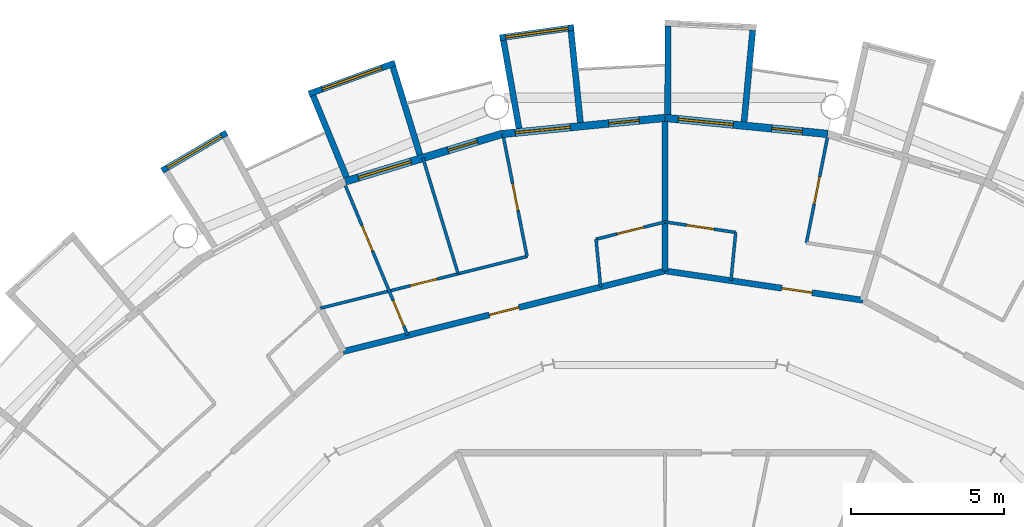
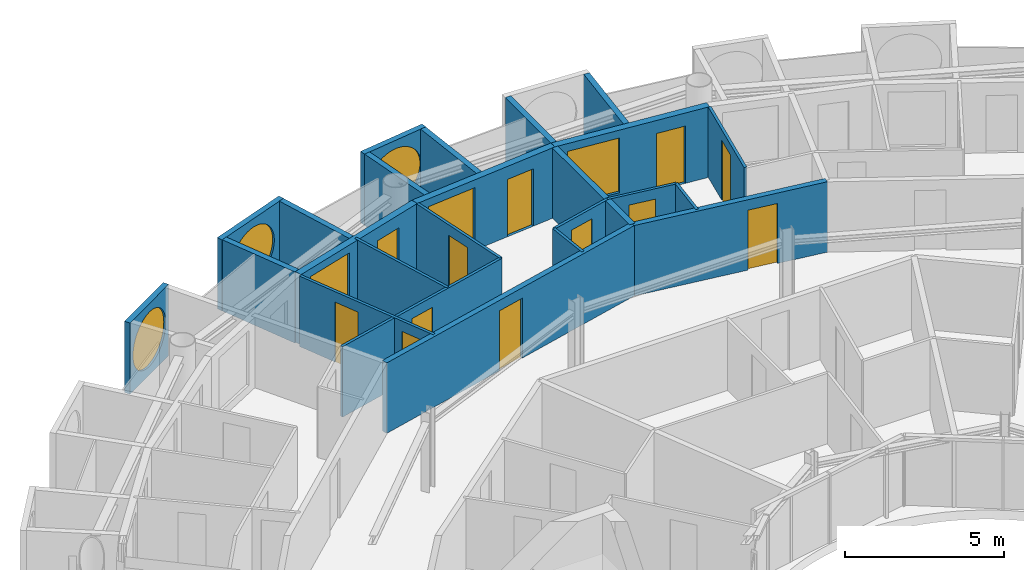
# One storey, part 22 of 29: 24 walls, 12 doors, 6 windows, 18 openings.
"""IFC4 building model written with IfcOpenShell, lengths in metres."""

from ifc_helpers import new_model, si_unit, direction, frame, frame_2d, origin, place, context, subcontext, project, spatial, rectangle, circle, extrude, material, layer, layer_set, type_object, element, fill, save


model = new_model("IFC4")

# Units and contexts
model_context = context("Model", 3, precision=1e-05, world=origin(), true_north=direction((0.0, 1.0)))
body_context = subcontext(model_context, "Body", "Model", "MODEL_VIEW")
ifc_project = project(units=[si_unit("LENGTHUNIT", "METRE"), si_unit("AREAUNIT", "SQUARE_METRE"), si_unit("VOLUMEUNIT", "CUBIC_METRE"), si_unit("PLANEANGLEUNIT", "RADIAN"), si_unit("MASSUNIT", "GRAM", prefix="KILO")], contexts=[model_context])

# Site, building, storey
site_placement = place(None, origin())
site = spatial("IfcSite", under=ifc_project, at=site_placement, CompositionType="ELEMENT")
building_placement = place(site_placement, origin())
building = spatial("IfcBuilding", under=site, at=building_placement, Name="Maasbend Ring Residences", CompositionType="ELEMENT")
storey_placement = place(building_placement, frame((0.0, 0.0, 212.699951171875)))
storey = spatial("IfcBuildingStorey", under=building, at=storey_placement, Name="L61", CompositionType="ELEMENT", Elevation=212.699951171875)

# Wall, opening, door
ifc_material_1 = material(Name="Concrete C30/37", Category="concrete")
ifc_layer_1 = layer(ifc_material_1, 0.199951171875)
ifc_layer_set_1 = layer_set([ifc_layer_1], Name="Concrete C30/37")
wall_type_1 = type_object("IfcWallType", Name="CORRIDOR WALL 200 CONCRETE", PredefinedType="PARTITIONING", material=ifc_layer_set_1)
wall_1_placement = place(storey_placement, frame((-10.52099609375, 19.662109375, 0.0), z_axis=(0.0, 0.0, 1.0), x_axis=(0.969975443945, 0.243202874456, 0.0)))
wall_1 = element("IfcWall", 1, at=wall_1_placement, inside=storey, type_object=wall_type_1, Name="U-L61-w111", PredefinedType="PARTITIONING", context=body_context, shape_type="SweptSolid", body=[
    extrude(rectangle(XDim=10.8466796875, YDim=0.199951171875, at=frame_2d((5.42333984375, 0.0))), origin(), (0.0, 0.0, 1.0), 2.699951171875),
])
opening_1_placement = place(wall_1_placement, frame((4.927978515625, 0.0, 0.0)))
opening_1 = element("IfcOpeningElement", 2, at=opening_1_placement, cuts=wall_1, Name="Opening D-6111", PredefinedType="OPENING", context=body_context, shape_type="SweptSolid", body=[
    extrude(rectangle(XDim=1.0, YDim=2.300048828125, at=frame_2d((0.5, 1.14990234375))), frame((0.0, 0.10986328125, 0.0), z_axis=(0.0, -1.0, 0.0), x_axis=(1.0, 0.0, 0.0)), (0.0, 0.0, 1.0), 0.219970703125),
])
ifc_material_2 = material(Name="Timber, fire-rated, painted", Category="wood")
door_type_1 = type_object("IfcDoorType", Name="FLAT ENTRANCE DOOR 1000 X 2300 FIRE-RATED", OperationType="NOTDEFINED", PredefinedType="DOOR", material=ifc_material_2)
door_1_placement = place(opening_1_placement, origin())
door_1 = element("IfcDoor", 3, at=door_1_placement, inside=storey, type_object=door_type_1, Name="D-6111", OperationType="SINGLE_SWING_RIGHT", OverallHeight=2.300048828125, OverallWidth=1.0, PredefinedType="DOOR", context=body_context, shape_type="SweptSolid", body=[
    extrude(rectangle(XDim=1.0, YDim=2.300048828125, at=frame_2d((0.5, 1.14990234375))), frame((0.0, 0.02490234375, 0.0), z_axis=(0.0, -1.0, 0.0), x_axis=(1.0, 0.0, 0.0)), (0.0, 0.0, 1.0), 0.050048828125),
])
fill(opening_1, door_1)

wall_2_placement = place(storey_placement, frame((0.0, 22.300048828125, 0.0), z_axis=(0.0, 0.0, 1.0), x_axis=(0.989181015112, -0.146700100005, 0.0)))
wall_2 = element("IfcWall", 4, at=wall_2_placement, inside=storey, type_object=wall_type_1, Name="U-L61-w115", PredefinedType="PARTITIONING", context=body_context, shape_type="SweptSolid", body=[
    extrude(rectangle(XDim=6.543701171875, YDim=0.199951171875, at=frame_2d((3.27197265625, 0.0))), origin(), (0.0, 0.0, 1.0), 2.699951171875),
])
opening_2_placement = place(wall_2_placement, frame((3.863037109375, 0.0, 0.0)))
opening_2 = element("IfcOpeningElement", 5, at=opening_2_placement, cuts=wall_2, Name="Opening D-6108", PredefinedType="OPENING", context=body_context, shape_type="SweptSolid", body=[
    extrude(rectangle(XDim=1.0, YDim=2.300048828125, at=frame_2d((0.5, 1.14990234375))), frame((0.0, 0.10986328125, 0.0), z_axis=(0.0, -1.0, 0.0), x_axis=(1.0, 0.0, 0.0)), (0.0, 0.0, 1.0), 0.219970703125),
])
door_2_placement = place(opening_2_placement, origin())
door_2 = element("IfcDoor", 6, at=door_2_placement, inside=storey, type_object=door_type_1, Name="D-6108", OperationType="SINGLE_SWING_RIGHT", OverallHeight=2.300048828125, OverallWidth=1.0, PredefinedType="DOOR", context=body_context, shape_type="SweptSolid", body=[
    extrude(rectangle(XDim=1.0, YDim=2.300048828125, at=frame_2d((0.5, 1.14990234375))), frame((0.0, 0.02490234375, 0.0), z_axis=(0.0, -1.0, 0.0), x_axis=(1.0, 0.0, 0.0)), (0.0, 0.0, 1.0), 0.050048828125),
])
fill(opening_2, door_2)

# Walls
ifc_material_3 = material(Name="Pale anodised aluminium panel", Category="aluminium")
ifc_layer_2 = layer(ifc_material_3, 0.199951171875)
ifc_layer_set_2 = layer_set([ifc_layer_2], Name="EW-BOX")
wall_type_2 = type_object("IfcWallType", Name="EW-BOX", PredefinedType="SOLIDWALL", material=ifc_layer_set_2)
wall_3_placement = place(storey_placement, frame((2.5859375, 27.1708984375, -0.030029296875), z_axis=(0.0, 0.0, 1.0), x_axis=(0.094548432284, 0.995520262954, 0.0)))
element("IfcWall", 7, at=wall_3_placement, inside=storey, type_object=wall_type_2, Name="Box side wall N10 left", PredefinedType="SOLIDWALL", context=body_context, shape_type="SweptSolid", body=[
    extrude(rectangle(XDim=3.005615234375, YDim=0.199951171875, at=frame_2d((1.5029296875, 0.0))), origin(), (0.0, 0.0, 1.0), 2.72998046875),
])
wall_4_placement = place(storey_placement, frame((0.090087890625, 27.4169921875, -0.030029296875), z_axis=(0.0, 0.0, 1.0), x_axis=(0.00347308367, 0.999993968827, 0.0)))
element("IfcWall", 8, at=wall_4_placement, inside=storey, type_object=wall_type_2, Name="Box side wall N10 right", PredefinedType="SOLIDWALL", context=body_context, shape_type="SweptSolid", body=[
    extrude(rectangle(XDim=2.882080078125, YDim=0.199951171875, at=frame_2d((1.44091796875, 0.0))), origin(), (0.0, 0.0, 1.0), 2.72998046875),
])

# Wall, opening, window
wall_5_placement = place(storey_placement, frame((-2.97607421875, 30.25390625, -0.030029296875), z_axis=(0.0, 0.0, 1.0), x_axis=(-0.990462016113, -0.137786046596, 0.0)))
wall_5 = element("IfcWall", 9, at=wall_5_placement, inside=storey, type_object=wall_type_2, Name="Box front N12", PredefinedType="SOLIDWALL", context=body_context, shape_type="SweptSolid", body=[
    extrude(rectangle(XDim=2.4453125, YDim=0.199951171875, at=frame_2d((1.22265625, 0.0))), origin(), (0.0, 0.0, 1.0), 2.72998046875),
])
opening_3_placement = place(wall_5_placement, frame((0.182861328125, 0.0, 0.330078125)))
opening_3 = element("IfcOpeningElement", 10, at=opening_3_placement, cuts=wall_5, Name="Opening W-RD", PredefinedType="OPENING", context=body_context, shape_type="SweptSolid", body=[
    extrude(circle(Radius=1.0400390625, at=frame_2d((1.0400390625, 1.0400390625))), frame((0.0, 0.10986328125, 0.0), z_axis=(0.0, -1.0, 0.0), x_axis=(1.0, 0.0, 0.0)), (0.0, 0.0, 1.0), 0.219970703125),
])
ifc_material_4 = material(Name="Aluminium and clear glass", Category="aluminium")
window_type_1 = type_object("IfcWindowType", Name="W-RD", PartitioningType="SINGLE_PANEL", PredefinedType="WINDOW", material=ifc_material_4)
window_1_placement = place(opening_3_placement, origin())
window_1 = element("IfcWindow", 11, at=window_1_placement, inside=storey, type_object=window_type_1, Name="Round window N12", OverallHeight=2.080078125, OverallWidth=2.080078125, PartitioningType="SINGLE_PANEL", PredefinedType="WINDOW", context=body_context, shape_type="SweptSolid", body=[
    extrude(circle(Radius=1.0400390625, at=frame_2d((1.0400390625, 1.0400390625))), frame((0.0, 0.030029296875, 0.0), z_axis=(0.0, -1.0, 0.0), x_axis=(1.0, 0.0, 0.0)), (0.0, 0.0, 1.0), 0.06005859375),
])
fill(opening_3, window_1)

# Walls
wall_6_placement = place(storey_placement, frame((-2.763916015625, 27.153076171875, -0.030029296875), z_axis=(0.0, 0.0, 1.0), x_axis=(-0.101505487237, 0.994834979311, 0.0)))
element("IfcWall", 12, at=wall_6_placement, inside=storey, type_object=wall_type_2, Name="Box side wall N12 left", PredefinedType="SOLIDWALL", context=body_context, shape_type="SweptSolid", body=[
    extrude(rectangle(XDim=3.006591796875, YDim=0.199951171875, at=frame_2d((1.50341796875, 0.0))), origin(), (0.0, 0.0, 1.0), 2.72998046875),
])
wall_7_placement = place(storey_placement, frame((-4.76904296875, 26.9560546875, -0.030029296875), z_axis=(0.0, 0.0, 1.0), x_axis=(-0.174056778901, 0.984735618183, 0.0)))
element("IfcWall", 13, at=wall_7_placement, inside=storey, type_object=wall_type_2, Name="Box side wall N12 right", PredefinedType="SOLIDWALL", context=body_context, shape_type="SweptSolid", body=[
    extrude(rectangle(XDim=2.924560546875, YDim=0.199951171875, at=frame_2d((1.46240234375, 0.0))), origin(), (0.0, 0.0, 1.0), 2.72998046875),
])

# Wall, opening, window
wall_8_placement = place(storey_placement, frame((-8.820068359375, 29.093017578125, -0.030029296875), z_axis=(0.0, 0.0, 1.0), x_axis=(-0.941461077774, -0.337121697664, 0.0)))
wall_8 = element("IfcWall", 14, at=wall_8_placement, inside=storey, type_object=wall_type_2, Name="Box front N14", PredefinedType="SOLIDWALL", context=body_context, shape_type="SweptSolid", body=[
    extrude(rectangle(XDim=2.9931640625, YDim=0.199951171875, at=frame_2d((1.49658203125, 0.0))), origin(), (0.0, 0.0, 1.0), 2.72998046875),
])
opening_4_placement = place(wall_8_placement, frame((0.45654296875, 0.0, 0.330078125)))
opening_4 = element("IfcOpeningElement", 15, at=opening_4_placement, cuts=wall_8, Name="Opening W-RD", PredefinedType="OPENING", context=body_context, shape_type="SweptSolid", body=[
    extrude(circle(Radius=1.0400390625, at=frame_2d((1.0400390625, 1.0400390625))), frame((0.0, 0.10986328125, 0.0), z_axis=(0.0, -1.0, 0.0), x_axis=(1.0, 0.0, 0.0)), (0.0, 0.0, 1.0), 0.219970703125),
])
window_2_placement = place(opening_4_placement, origin())
window_2 = element("IfcWindow", 16, at=window_2_placement, inside=storey, type_object=window_type_1, Name="Round window N14", OverallHeight=2.080078125, OverallWidth=2.080078125, PartitioningType="SINGLE_PANEL", PredefinedType="WINDOW", context=body_context, shape_type="SweptSolid", body=[
    extrude(circle(Radius=1.0400390625, at=frame_2d((1.0400390625, 1.0400390625))), frame((0.0, 0.030029296875, 0.0), z_axis=(0.0, -1.0, 0.0), x_axis=(1.0, 0.0, 0.0)), (0.0, 0.0, 1.0), 0.06005859375),
])
fill(opening_4, window_2)

# Walls
wall_9_placement = place(storey_placement, frame((-8.009033203125, 26.092041015625, -0.030029296875), z_axis=(0.0, 0.0, 1.0), x_axis=(-0.293406695073, 0.955987715029, 0.0)))
element("IfcWall", 17, at=wall_9_placement, inside=storey, type_object=wall_type_2, Name="Box side wall N14 left", PredefinedType="SOLIDWALL", context=body_context, shape_type="SweptSolid", body=[
    extrude(rectangle(XDim=3.00634765625, YDim=0.199951171875, at=frame_2d((1.503173828125, 0.0))), origin(), (0.0, 0.0, 1.0), 2.72998046875),
])
wall_10_placement = place(storey_placement, frame((-10.408935546875, 25.364013671875, -0.030029296875), z_axis=(0.0, 0.0, 1.0), x_axis=(-0.379509886562, 0.925187681501, 0.0)))
element("IfcWall", 18, at=wall_10_placement, inside=storey, type_object=wall_type_2, Name="Box side wall N14 right", PredefinedType="SOLIDWALL", context=body_context, shape_type="SweptSolid", body=[
    extrude(rectangle(XDim=2.882568359375, YDim=0.199951171875, at=frame_2d((1.44140625, 0.0))), origin(), (0.0, 0.0, 1.0), 2.72998046875),
])

# Wall, opening, window
wall_11_placement = place(storey_placement, frame((-14.326904296875, 26.81201171875, -0.030029296875), z_axis=(0.0, 0.0, 1.0), x_axis=(-0.862403467503, -0.506221551535, 0.0)))
wall_11 = element("IfcWall", 19, at=wall_11_placement, inside=storey, type_object=wall_type_2, Name="Box front N16", PredefinedType="SOLIDWALL", context=body_context, shape_type="SweptSolid", body=[
    extrude(rectangle(XDim=2.445556640625, YDim=0.199951171875, at=frame_2d((1.22265625, 0.0))), origin(), (0.0, 0.0, 1.0), 2.72998046875),
])
opening_5_placement = place(wall_11_placement, frame((0.182861328125, 0.0, 0.330078125)))
opening_5 = element("IfcOpeningElement", 20, at=opening_5_placement, cuts=wall_11, Name="Opening W-RD", PredefinedType="OPENING", context=body_context, shape_type="SweptSolid", body=[
    extrude(circle(Radius=1.0400390625, at=frame_2d((1.0400390625, 1.0400390625))), frame((0.0, 0.10986328125, 0.0), z_axis=(0.0, -1.0, 0.0), x_axis=(1.0, 0.0, 0.0)), (0.0, 0.0, 1.0), 0.219970703125),
])
window_3_placement = place(opening_5_placement, origin())
window_3 = element("IfcWindow", 21, at=window_3_placement, inside=storey, type_object=window_type_1, Name="Round window N16", OverallHeight=2.080078125, OverallWidth=2.080078125, PartitioningType="SINGLE_PANEL", PredefinedType="WINDOW", context=body_context, shape_type="SweptSolid", body=[
    extrude(circle(Radius=1.0400390625, at=frame_2d((1.0400390625, 1.0400390625))), frame((0.0, 0.030029296875, 0.0), z_axis=(0.0, -1.0, 0.0), x_axis=(1.0, 0.0, 0.0)), (0.0, 0.0, 1.0), 0.06005859375),
])
fill(opening_5, window_3)

# Wall, openings, door, window
ifc_material_5 = material(Name="Aluminium clad insulated panel", Category="aluminium")
ifc_layer_3 = layer(ifc_material_5, 0.25)
ifc_layer_set_3 = layer_set([ifc_layer_3], Name="EW-GL")
wall_type_3 = type_object("IfcWallType", Name="EW-GL", PredefinedType="SOLIDWALL", material=ifc_layer_set_3)
wall_12_placement = place(storey_placement, frame((5.325927734375, 26.77490234375, 0.0), z_axis=(0.0, 0.0, 1.0), x_axis=(-0.995173996315, 0.098126026407, 0.0)))
wall_12 = element("IfcWall", 22, at=wall_12_placement, inside=storey, type_object=wall_type_3, Name="External wall N05", PredefinedType="SOLIDWALL", context=body_context, shape_type="SweptSolid", body=[
    extrude(rectangle(XDim=5.351806640625, YDim=0.25, at=frame_2d((2.67578125, 0.0))), origin(), (0.0, 0.0, 1.0), 2.699951171875),
])
opening_6_placement = place(wall_12_placement, frame((0.841064453125, 0.0, 0.0)))
opening_6 = element("IfcOpeningElement", 23, at=opening_6_placement, cuts=wall_12, Name="Opening D-LG", PredefinedType="OPENING", context=body_context, shape_type="SweptSolid", body=[
    extrude(rectangle(XDim=1.0, YDim=2.199951171875, at=frame_2d((0.5, 1.10009765625))), frame((0.0, 0.135009765625, 0.0), z_axis=(0.0, -1.0, 0.0), x_axis=(1.0, 0.0, 0.0)), (0.0, 0.0, 1.0), 0.27001953125),
])
opening_7_placement = place(wall_12_placement, frame((3.110595703125, 0.0, 0.300048828125)))
opening_7 = element("IfcOpeningElement", 24, at=opening_7_placement, cuts=wall_12, Name="Opening W-BX", PredefinedType="OPENING", context=body_context, shape_type="SweptSolid", body=[
    extrude(rectangle(XDim=1.800048828125, YDim=2.10009765625, at=frame_2d((0.89990234375, 1.050048828125))), frame((0.0, 0.135009765625, 0.0), z_axis=(0.0, -1.0, 0.0), x_axis=(1.0, 0.0, 0.0)), (0.0, 0.0, 1.0), 0.27001953125),
])
ifc_material_6 = material(Name="Aluminium and clear glass", Category="aluminium")
door_type_2 = type_object("IfcDoorType", Name="D-LG", OperationType="SINGLE_SWING_LEFT", PredefinedType="DOOR", material=ifc_material_6)
door_3_placement = place(opening_6_placement, origin())
door_3 = element("IfcDoor", 25, at=door_3_placement, inside=storey, type_object=door_type_2, Name="Loggia door N09", OperationType="SINGLE_SWING_LEFT", OverallHeight=2.199951171875, OverallWidth=1.0, PredefinedType="DOOR", context=body_context, shape_type="SweptSolid", body=[
    extrude(rectangle(XDim=1.0, YDim=2.199951171875, at=frame_2d((0.5, 1.10009765625))), frame((0.0, 0.02490234375, 0.0), z_axis=(0.0, -1.0, 0.0), x_axis=(1.0, 0.0, 0.0)), (0.0, 0.0, 1.0), 0.050048828125),
])
fill(opening_6, door_3)
ifc_material_7 = material(Name="Aluminium and clear glass", Category="aluminium")
window_type_2 = type_object("IfcWindowType", Name="W-BX", PartitioningType="DOUBLE_PANEL_VERTICAL", PredefinedType="WINDOW", material=ifc_material_7)
window_4_placement = place(opening_7_placement, origin())
window_4 = element("IfcWindow", 26, at=window_4_placement, inside=storey, type_object=window_type_2, Name="Window N10 room to box", OverallHeight=2.10009765625, OverallWidth=1.800048828125, PartitioningType="SINGLE_PANEL", PredefinedType="WINDOW", context=body_context, shape_type="SweptSolid", body=[
    extrude(rectangle(XDim=1.800048828125, YDim=2.10009765625, at=frame_2d((0.89990234375, 1.050048828125))), frame((0.0, 0.030029296875, 0.0), z_axis=(0.0, -1.0, 0.0), x_axis=(1.0, 0.0, 0.0)), (0.0, 0.0, 1.0), 0.06005859375),
])
fill(opening_7, window_4)

wall_13_placement = place(storey_placement, frame((0.0, 27.300048828125, 0.0), z_axis=(0.0, 0.0, 1.0), x_axis=(-0.995173996315, -0.098126026407, 0.0)))
wall_13 = element("IfcWall", 27, at=wall_13_placement, inside=storey, type_object=wall_type_3, Name="External wall N06", PredefinedType="SOLIDWALL", context=body_context, shape_type="SweptSolid", body=[
    extrude(rectangle(XDim=5.351806640625, YDim=0.25, at=frame_2d((2.67578125, 0.0))), origin(), (0.0, 0.0, 1.0), 2.699951171875),
])
opening_8_placement = place(wall_13_placement, frame((0.841064453125, 0.0, 0.0)))
opening_8 = element("IfcOpeningElement", 28, at=opening_8_placement, cuts=wall_13, Name="Opening D-LG", PredefinedType="OPENING", context=body_context, shape_type="SweptSolid", body=[
    extrude(rectangle(XDim=1.0, YDim=2.199951171875, at=frame_2d((0.5, 1.10009765625))), frame((0.0, 0.135009765625, 0.0), z_axis=(0.0, -1.0, 0.0), x_axis=(1.0, 0.0, 0.0)), (0.0, 0.0, 1.0), 0.27001953125),
])
opening_9_placement = place(wall_13_placement, frame((3.110595703125, 0.0, 0.300048828125)))
opening_9 = element("IfcOpeningElement", 29, at=opening_9_placement, cuts=wall_13, Name="Opening W-BX", PredefinedType="OPENING", context=body_context, shape_type="SweptSolid", body=[
    extrude(rectangle(XDim=1.800048828125, YDim=2.10009765625, at=frame_2d((0.89990234375, 1.050048828125))), frame((0.0, 0.135009765625, 0.0), z_axis=(0.0, -1.0, 0.0), x_axis=(1.0, 0.0, 0.0)), (0.0, 0.0, 1.0), 0.27001953125),
])
door_4_placement = place(opening_8_placement, origin())
door_4 = element("IfcDoor", 30, at=door_4_placement, inside=storey, type_object=door_type_2, Name="Loggia door N11", OperationType="SINGLE_SWING_LEFT", OverallHeight=2.199951171875, OverallWidth=1.0, PredefinedType="DOOR", context=body_context, shape_type="SweptSolid", body=[
    extrude(rectangle(XDim=1.0, YDim=2.199951171875, at=frame_2d((0.5, 1.10009765625))), frame((0.0, 0.02490234375, 0.0), z_axis=(0.0, -1.0, 0.0), x_axis=(1.0, 0.0, 0.0)), (0.0, 0.0, 1.0), 0.050048828125),
])
fill(opening_8, door_4)
window_5_placement = place(opening_9_placement, origin())
window_5 = element("IfcWindow", 31, at=window_5_placement, inside=storey, type_object=window_type_2, Name="Window N12 room to box", OverallHeight=2.10009765625, OverallWidth=1.800048828125, PartitioningType="SINGLE_PANEL", PredefinedType="WINDOW", context=body_context, shape_type="SweptSolid", body=[
    extrude(rectangle(XDim=1.800048828125, YDim=2.10009765625, at=frame_2d((0.89990234375, 1.050048828125))), frame((0.0, 0.030029296875, 0.0), z_axis=(0.0, -1.0, 0.0), x_axis=(1.0, 0.0, 0.0)), (0.0, 0.0, 1.0), 0.06005859375),
])
fill(opening_9, window_5)

wall_14_placement = place(storey_placement, frame((-5.325927734375, 26.77490234375, 0.0), z_axis=(0.0, 0.0, 1.0), x_axis=(-0.956965678721, -0.290201119486, 0.0)))
wall_14 = element("IfcWall", 32, at=wall_14_placement, inside=storey, type_object=wall_type_3, Name="External wall N07", PredefinedType="SOLIDWALL", context=body_context, shape_type="SweptSolid", body=[
    extrude(rectangle(XDim=5.351318359375, YDim=0.25, at=frame_2d((2.67578125, 0.0))), origin(), (0.0, 0.0, 1.0), 2.699951171875),
])
opening_10_placement = place(wall_14_placement, frame((0.841064453125, 0.0, 0.0)))
opening_10 = element("IfcOpeningElement", 33, at=opening_10_placement, cuts=wall_14, Name="Opening D-LG", PredefinedType="OPENING", context=body_context, shape_type="SweptSolid", body=[
    extrude(rectangle(XDim=1.0, YDim=2.199951171875, at=frame_2d((0.5, 1.10009765625))), frame((0.0, 0.135009765625, 0.0), z_axis=(0.0, -1.0, 0.0), x_axis=(1.0, 0.0, 0.0)), (0.0, 0.0, 1.0), 0.27001953125),
])
opening_11_placement = place(wall_14_placement, frame((3.110595703125, 0.0, 0.300048828125)))
opening_11 = element("IfcOpeningElement", 34, at=opening_11_placement, cuts=wall_14, Name="Opening W-BX", PredefinedType="OPENING", context=body_context, shape_type="SweptSolid", body=[
    extrude(rectangle(XDim=1.800048828125, YDim=2.10009765625, at=frame_2d((0.89990234375, 1.050048828125))), frame((0.0, 0.135009765625, 0.0), z_axis=(0.0, -1.0, 0.0), x_axis=(1.0, 0.0, 0.0)), (0.0, 0.0, 1.0), 0.27001953125),
])
door_5_placement = place(opening_10_placement, origin())
door_5 = element("IfcDoor", 35, at=door_5_placement, inside=storey, type_object=door_type_2, Name="Loggia door N13", OperationType="SINGLE_SWING_LEFT", OverallHeight=2.199951171875, OverallWidth=1.0, PredefinedType="DOOR", context=body_context, shape_type="SweptSolid", body=[
    extrude(rectangle(XDim=1.0, YDim=2.199951171875, at=frame_2d((0.5, 1.10009765625))), frame((0.0, 0.02490234375, 0.0), z_axis=(0.0, -1.0, 0.0), x_axis=(1.0, 0.0, 0.0)), (0.0, 0.0, 1.0), 0.050048828125),
])
fill(opening_10, door_5)
window_6_placement = place(opening_11_placement, origin())
window_6 = element("IfcWindow", 36, at=window_6_placement, inside=storey, type_object=window_type_2, Name="Window N14 room to box", OverallHeight=2.10009765625, OverallWidth=1.800048828125, PartitioningType="SINGLE_PANEL", PredefinedType="WINDOW", context=body_context, shape_type="SweptSolid", body=[
    extrude(rectangle(XDim=1.800048828125, YDim=2.10009765625, at=frame_2d((0.89990234375, 1.050048828125))), frame((0.0, 0.030029296875, 0.0), z_axis=(0.0, -1.0, 0.0), x_axis=(1.0, 0.0, 0.0)), (0.0, 0.0, 1.0), 0.06005859375),
])
fill(opening_11, window_6)

# Wall, openings, doors
ifc_material_8 = material(Name="Gypsum board on steel studs", Category="steel")
ifc_layer_4 = layer(ifc_material_8, 0.10009765625)
ifc_layer_set_4 = layer_set([ifc_layer_4], Name="PARTITION 100 GYPSUM")
wall_type_4 = type_object("IfcWallType", Name="PARTITION 100 GYPSUM", PredefinedType="PARTITIONING", material=ifc_layer_set_4)
wall_15_placement = place(storey_placement, frame((-10.446044921875, 25.0859375, 0.0), z_axis=(0.0, 0.0, 1.0), x_axis=(0.38420646001, -0.923247202046, 0.0)))
wall_15 = element("IfcWall", 37, at=wall_15_placement, inside=storey, type_object=wall_type_4, Name="U-L61-w034", PredefinedType="PARTITIONING", context=body_context, shape_type="SweptSolid", body=[
    extrude(rectangle(XDim=5.299560546875, YDim=0.10009765625, at=frame_2d((2.64990234375, 0.0))), origin(), (0.0, 0.0, 1.0), 2.699951171875),
])
opening_12_placement = place(wall_15_placement, frame((4.06494140625, 0.0, 0.0)))
opening_12 = element("IfcOpeningElement", 38, at=opening_12_placement, cuts=wall_15, Name="Opening D-6113", PredefinedType="OPENING", context=body_context, shape_type="SweptSolid", body=[
    extrude(rectangle(XDim=0.89990234375, YDim=2.300048828125, at=frame_2d((0.449951171875, 1.14990234375))), frame((0.0, 0.06005859375, 0.0), z_axis=(0.0, -1.0, 0.0), x_axis=(1.0, 0.0, 0.0)), (0.0, 0.0, 1.0), 0.1201171875),
])
opening_13_placement = place(wall_15_placement, frame((1.4150390625, 0.0, 0.0)))
opening_13 = element("IfcOpeningElement", 39, at=opening_13_placement, cuts=wall_15, Name="Opening D-6116", PredefinedType="OPENING", context=body_context, shape_type="SweptSolid", body=[
    extrude(rectangle(XDim=0.89990234375, YDim=2.300048828125, at=frame_2d((0.449951171875, 1.14990234375))), frame((0.0, 0.06005859375, 0.0), z_axis=(0.0, -1.0, 0.0), x_axis=(1.0, 0.0, 0.0)), (0.0, 0.0, 1.0), 0.1201171875),
])
ifc_material_9 = material(Name="Timber, painted", Category="wood")
door_type_3 = type_object("IfcDoorType", Name="INTERNAL DOOR 900 X 2300", OperationType="NOTDEFINED", PredefinedType="DOOR", material=ifc_material_9)
door_6_placement = place(opening_12_placement, origin())
door_6 = element("IfcDoor", 40, at=door_6_placement, inside=storey, type_object=door_type_3, Name="D-6113", OperationType="SINGLE_SWING_RIGHT", OverallHeight=2.300048828125, OverallWidth=0.89990234375, PredefinedType="DOOR", context=body_context, shape_type="SweptSolid", body=[
    extrude(rectangle(XDim=0.89990234375, YDim=2.300048828125, at=frame_2d((0.449951171875, 1.14990234375))), frame((0.0, 0.02490234375, 0.0), z_axis=(0.0, -1.0, 0.0), x_axis=(1.0, 0.0, 0.0)), (0.0, 0.0, 1.0), 0.050048828125),
])
fill(opening_12, door_6)
door_7_placement = place(opening_13_placement, origin())
door_7 = element("IfcDoor", 41, at=door_7_placement, inside=storey, type_object=door_type_3, Name="D-6116", OperationType="SINGLE_SWING_LEFT", OverallHeight=2.300048828125, OverallWidth=0.89990234375, PredefinedType="DOOR", context=body_context, shape_type="SweptSolid", body=[
    extrude(rectangle(XDim=0.89990234375, YDim=2.300048828125, at=frame_2d((0.449951171875, 1.14990234375))), frame((0.0, 0.02490234375, 0.0), z_axis=(0.0, -1.0, 0.0), x_axis=(1.0, 0.0, 0.0)), (0.0, 0.0, 1.0), 0.050048828125),
])
fill(opening_13, door_7)

# Wall
wall_16_placement = place(storey_placement, frame((-7.9140625, 25.9970703125, 0.0), z_axis=(0.0, 0.0, 1.0), x_axis=(0.291291575636, -0.956634317785, 0.0)))
element("IfcWall", 42, at=wall_16_placement, inside=storey, type_object=wall_type_4, Name="U-L61-w054", PredefinedType="PARTITIONING", context=body_context, shape_type="SweptSolid", body=[
    extrude(rectangle(XDim=3.9619140625, YDim=0.10009765625, at=frame_2d((1.98095703125, 0.0))), origin(), (0.0, 0.0, 1.0), 2.699951171875),
])

# Wall, opening, door
wall_17_placement = place(storey_placement, frame((-5.27587890625, 26.657958984375, 0.0), z_axis=(0.0, 0.0, 1.0), x_axis=(0.194030211642, -0.980995554001, 0.0)))
wall_17 = element("IfcWall", 43, at=wall_17_placement, inside=storey, type_object=wall_type_4, Name="U-L61-w059", PredefinedType="PARTITIONING", context=body_context, shape_type="SweptSolid", body=[
    extrude(rectangle(XDim=3.962158203125, YDim=0.10009765625, at=frame_2d((1.98095703125, 0.0))), origin(), (0.0, 0.0, 1.0), 2.699951171875),
])
opening_14_placement = place(wall_17_placement, frame((1.531005859375, 0.0, 0.0)))
opening_14 = element("IfcOpeningElement", 44, at=opening_14_placement, cuts=wall_17, Name="Opening D-6114", PredefinedType="OPENING", context=body_context, shape_type="SweptSolid", body=[
    extrude(rectangle(XDim=0.89990234375, YDim=2.300048828125, at=frame_2d((0.449951171875, 1.14990234375))), frame((0.0, 0.06005859375, 0.0), z_axis=(0.0, -1.0, 0.0), x_axis=(1.0, 0.0, 0.0)), (0.0, 0.0, 1.0), 0.1201171875),
])
door_8_placement = place(opening_14_placement, origin())
door_8 = element("IfcDoor", 45, at=door_8_placement, inside=storey, type_object=door_type_3, Name="D-6114", OperationType="SINGLE_SWING_LEFT", OverallHeight=2.300048828125, OverallWidth=0.89990234375, PredefinedType="DOOR", context=body_context, shape_type="SweptSolid", body=[
    extrude(rectangle(XDim=0.89990234375, YDim=2.300048828125, at=frame_2d((0.449951171875, 1.14990234375))), frame((0.0, 0.02490234375, 0.0), z_axis=(0.0, -1.0, 0.0), x_axis=(1.0, 0.0, 0.0)), (0.0, 0.0, 1.0), 0.050048828125),
])
fill(opening_14, door_8)

# Walls
wall_18_placement = place(storey_placement, frame((-2.2529296875, 23.3359375, 0.0), z_axis=(0.0, 0.0, 1.0), x_axis=(0.09608568494, -0.995373066317, 0.0)))
element("IfcWall", 46, at=wall_18_placement, inside=storey, type_object=wall_type_4, Name="U-L61-w062", PredefinedType="PARTITIONING", context=body_context, shape_type="SweptSolid", body=[
    extrude(rectangle(XDim=1.5703125, YDim=0.10009765625, at=frame_2d((0.78515625, 0.0))), origin(), (0.0, 0.0, 1.0), 2.699951171875),
])
wall_19_placement = place(storey_placement, frame((2.157958984375, 21.97998046875, 0.0), z_axis=(0.0, 0.0, 1.0), x_axis=(0.097840737576, 0.995202085041, 0.0)))
element("IfcWall", 47, at=wall_19_placement, inside=storey, type_object=wall_type_4, Name="U-L61-w069", PredefinedType="PARTITIONING", context=body_context, shape_type="SweptSolid", body=[
    extrude(rectangle(XDim=1.58447265625, YDim=0.10009765625, at=frame_2d((0.792236328125, 0.0))), origin(), (0.0, 0.0, 1.0), 2.699951171875),
])

# Wall, opening, door
wall_20_placement = place(storey_placement, frame((4.625, 23.214111328125, 0.0), z_axis=(0.0, 0.0, 1.0), x_axis=(0.195486409601, 0.980706410533, 0.0)))
wall_20 = element("IfcWall", 48, at=wall_20_placement, inside=storey, type_object=wall_type_4, Name="U-L61-w076", PredefinedType="PARTITIONING", context=body_context, shape_type="SweptSolid", body=[
    extrude(rectangle(XDim=3.50439453125, YDim=0.10009765625, at=frame_2d((1.752197265625, 0.0))), origin(), (0.0, 0.0, 1.0), 2.699951171875),
])
opening_15_placement = place(wall_20_placement, frame((1.302001953125, 0.0, 0.0)))
opening_15 = element("IfcOpeningElement", 49, at=opening_15_placement, cuts=wall_20, Name="Opening D-6110", PredefinedType="OPENING", context=body_context, shape_type="SweptSolid", body=[
    extrude(rectangle(XDim=0.89990234375, YDim=2.300048828125, at=frame_2d((0.449951171875, 1.14990234375))), frame((0.0, 0.06005859375, 0.0), z_axis=(0.0, -1.0, 0.0), x_axis=(1.0, 0.0, 0.0)), (0.0, 0.0, 1.0), 0.1201171875),
])
door_9_placement = place(opening_15_placement, origin())
door_9 = element("IfcDoor", 50, at=door_9_placement, inside=storey, type_object=door_type_3, Name="D-6110", OperationType="SINGLE_SWING_LEFT", OverallHeight=2.300048828125, OverallWidth=0.89990234375, PredefinedType="DOOR", context=body_context, shape_type="SweptSolid", body=[
    extrude(rectangle(XDim=0.89990234375, YDim=2.300048828125, at=frame_2d((0.449951171875, 1.14990234375))), frame((0.0, 0.02490234375, 0.0), z_axis=(0.0, -1.0, 0.0), x_axis=(1.0, 0.0, 0.0)), (0.0, 0.0, 1.0), 0.050048828125),
])
fill(opening_15, door_9)

wall_21_placement = place(storey_placement, frame((-11.26611328125, 21.077880859375, 0.0), z_axis=(0.0, 0.0, 1.0), x_axis=(0.970072433546, 0.242815719578, 0.0)))
wall_21 = element("IfcWall", 51, at=wall_21_placement, inside=storey, type_object=wall_type_4, Name="U-L61-w121", PredefinedType="PARTITIONING", context=body_context, shape_type="SweptSolid", body=[
    extrude(rectangle(XDim=6.972900390625, YDim=0.10009765625, at=frame_2d((3.486328125, 0.0))), origin(), (0.0, 0.0, 1.0), 2.699951171875),
])
opening_16_placement = place(wall_21_placement, frame((3.035888671875, 0.0, 0.0)))
opening_16 = element("IfcOpeningElement", 52, at=opening_16_placement, cuts=wall_21, Name="Opening D-6115", PredefinedType="OPENING", context=body_context, shape_type="SweptSolid", body=[
    extrude(rectangle(XDim=0.89990234375, YDim=2.300048828125, at=frame_2d((0.449951171875, 1.14990234375))), frame((0.0, 0.06005859375, 0.0), z_axis=(0.0, -1.0, 0.0), x_axis=(1.0, 0.0, 0.0)), (0.0, 0.0, 1.0), 0.1201171875),
])
door_10_placement = place(opening_16_placement, origin())
door_10 = element("IfcDoor", 53, at=door_10_placement, inside=storey, type_object=door_type_3, Name="D-6115", OperationType="SINGLE_SWING_LEFT", OverallHeight=2.300048828125, OverallWidth=0.89990234375, PredefinedType="DOOR", context=body_context, shape_type="SweptSolid", body=[
    extrude(rectangle(XDim=0.89990234375, YDim=2.300048828125, at=frame_2d((0.449951171875, 1.14990234375))), frame((0.0, 0.02490234375, 0.0), z_axis=(0.0, -1.0, 0.0), x_axis=(1.0, 0.0, 0.0)), (0.0, 0.0, 1.0), 0.050048828125),
])
fill(opening_16, door_10)

wall_22_placement = place(storey_placement, frame((-2.2529296875, 23.333984375, 0.0), z_axis=(0.0, 0.0, 1.0), x_axis=(0.970068250789, 0.242832429489, 0.0)))
wall_22 = element("IfcWall", 54, at=wall_22_placement, inside=storey, type_object=wall_type_4, Name="U-L61-w122", PredefinedType="PARTITIONING", context=body_context, shape_type="SweptSolid", body=[
    extrude(rectangle(XDim=2.322509765625, YDim=0.10009765625, at=frame_2d((1.1611328125, 0.0))), origin(), (0.0, 0.0, 1.0), 2.699951171875),
])
opening_17_placement = place(wall_22_placement, frame((0.7119140625, 0.0, 0.0)))
opening_17 = element("IfcOpeningElement", 55, at=opening_17_placement, cuts=wall_22, Name="Opening D-6112", PredefinedType="OPENING", context=body_context, shape_type="SweptSolid", body=[
    extrude(rectangle(XDim=0.89990234375, YDim=2.300048828125, at=frame_2d((0.449951171875, 1.14990234375))), frame((0.0, 0.06005859375, 0.0), z_axis=(0.0, -1.0, 0.0), x_axis=(1.0, 0.0, 0.0)), (0.0, 0.0, 1.0), 0.1201171875),
])
door_11_placement = place(opening_17_placement, origin())
door_11 = element("IfcDoor", 56, at=door_11_placement, inside=storey, type_object=door_type_3, Name="D-6112", OperationType="SINGLE_SWING_RIGHT", OverallHeight=2.300048828125, OverallWidth=0.89990234375, PredefinedType="DOOR", context=body_context, shape_type="SweptSolid", body=[
    extrude(rectangle(XDim=0.89990234375, YDim=2.300048828125, at=frame_2d((0.449951171875, 1.14990234375))), frame((0.0, 0.02490234375, 0.0), z_axis=(0.0, -1.0, 0.0), x_axis=(1.0, 0.0, 0.0)), (0.0, 0.0, 1.0), 0.050048828125),
])
fill(opening_17, door_11)

wall_23_placement = place(storey_placement, frame((0.0, 23.89990234375, 0.0), z_axis=(0.0, 0.0, 1.0), x_axis=(0.989181588285, -0.146696235121, 0.0)))
wall_23 = element("IfcWall", 57, at=wall_23_placement, inside=storey, type_object=wall_type_4, Name="U-L61-w125", PredefinedType="PARTITIONING", context=body_context, shape_type="SweptSolid", body=[
    extrude(rectangle(XDim=2.33837890625, YDim=0.10009765625, at=frame_2d((1.169189453125, 0.0))), origin(), (0.0, 0.0, 1.0), 2.699951171875),
])
opening_18_placement = place(wall_23_placement, frame((0.718994140625, 0.0, 0.0)))
opening_18 = element("IfcOpeningElement", 58, at=opening_18_placement, cuts=wall_23, Name="Opening D-6109", PredefinedType="OPENING", context=body_context, shape_type="SweptSolid", body=[
    extrude(rectangle(XDim=0.89990234375, YDim=2.300048828125, at=frame_2d((0.449951171875, 1.14990234375))), frame((0.0, 0.06005859375, 0.0), z_axis=(0.0, -1.0, 0.0), x_axis=(1.0, 0.0, 0.0)), (0.0, 0.0, 1.0), 0.1201171875),
])
door_12_placement = place(opening_18_placement, origin())
door_12 = element("IfcDoor", 59, at=door_12_placement, inside=storey, type_object=door_type_3, Name="D-6109", OperationType="SINGLE_SWING_RIGHT", OverallHeight=2.300048828125, OverallWidth=0.89990234375, PredefinedType="DOOR", context=body_context, shape_type="SweptSolid", body=[
    extrude(rectangle(XDim=0.89990234375, YDim=2.300048828125, at=frame_2d((0.449951171875, 1.14990234375))), frame((0.0, 0.02490234375, 0.0), z_axis=(0.0, -1.0, 0.0), x_axis=(1.0, 0.0, 0.0)), (0.0, 0.0, 1.0), 0.050048828125),
])
fill(opening_18, door_12)

# Wall
ifc_material_10 = material(Name="Concrete C30/37", Category="concrete")
ifc_layer_5 = layer(ifc_material_10, 0.199951171875)
ifc_layer_set_5 = layer_set([ifc_layer_5], Name="Concrete C30/37")
wall_type_5 = type_object("IfcWallType", Name="PARTY WALL 200 CONCRETE", PredefinedType="PARTITIONING", material=ifc_layer_set_5)
wall_24_placement = place(storey_placement, frame((0.0, 22.300048828125, 0.0), z_axis=(0.0, 0.0, 1.0), x_axis=(0.0, 1.0, 0.0)))
element("IfcWall", 60, at=wall_24_placement, inside=storey, type_object=wall_type_5, Name="U-L61-w066", PredefinedType="PARTITIONING", context=body_context, shape_type="SweptSolid", body=[
    extrude(rectangle(XDim=4.875, YDim=0.199951171875, at=frame_2d((2.4375, 0.0))), origin(), (0.0, 0.0, 1.0), 2.699951171875),
])

save(model, "model.ifc")
